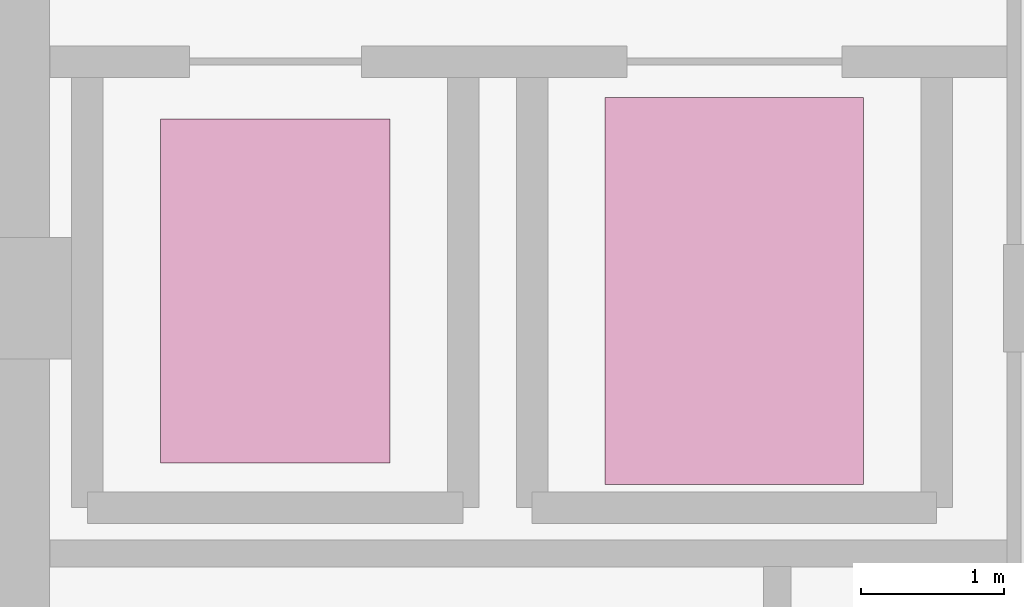
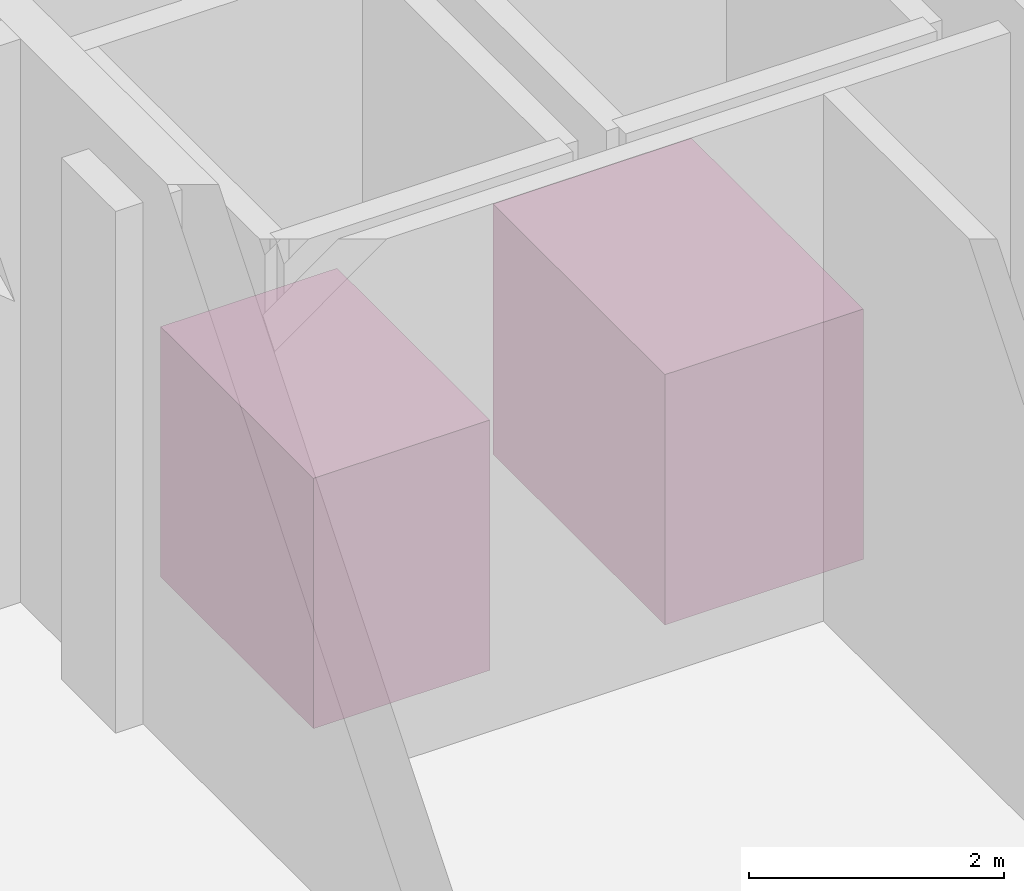
# One storey, part 15 of 15: 2 transport elements.
"""IFC4 building model written with IfcOpenShell, lengths in metres."""

import ifcopenshell
import ifcopenshell.guid

model = None  # the IFC model being written
_history = None  # IfcOwnerHistory: only IFC2X3 demands one
_inside = {}  # id of a spatial element -> (the spatial element, [elements in it])
_under = {}  # id of a project, library or spatial element -> (it, [spatial elements below it])
_declared = {}  # id of a project -> (the project, [libraries it declares])
_typed = {}  # id of a type object -> (the type object, [elements of that type])
_made_of = {}  # id of a material, layer set ... -> (it, [elements and type objects made of it])


def new_model(schema):
    """Start an empty IFC model of exactly this schema.

    Asked for "IFC4X3", IfcOpenShell would pick the latest addendum, in which some entities
    have other attributes; the version numbers below select the first issue.
    IFC2X3 requires an IfcOwnerHistory on every rooted entity: one is made here for all.
    """
    global model, _history
    if schema == "IFC4X3":
        model = ifcopenshell.file(schema_version=(4, 3, 0, 0))
    else:
        model = ifcopenshell.file(schema=schema)
    _inside.clear()
    _under.clear()
    _declared.clear()
    _typed.clear()
    _made_of.clear()
    _history = None
    if model.schema == "IFC2X3":
        org = make("IfcOrganization", Name="unknown")
        user = make(
            "IfcPersonAndOrganization",
            ThePerson=make("IfcPerson", FamilyName="unknown"),
            TheOrganization=org,
        )
        app = make(
            "IfcApplication",
            ApplicationDeveloper=org,
            Version="unknown",
            ApplicationFullName="unknown",
            ApplicationIdentifier="unknown",
        )
        _history = make(
            "IfcOwnerHistory",
            OwningUser=user,
            OwningApplication=app,
            ChangeAction="ADDED",
            CreationDate=0,
        )
    return model


def make(cls, **values):
    """One entity of the class cls with the attributes given. An attribute that is None is left unset."""
    return model.create_entity(
        cls, **{name: value for name, value in values.items() if value is not None}
    )


def rooted(cls, **values):
    """An entity with a GlobalId (a new one), such as an element, a storey or a relation."""
    return make(cls, GlobalId=ifcopenshell.guid.new(), OwnerHistory=_history, **values)


def si_unit(unit_type, name, prefix=None):
    """IfcSIUnit, for example si_unit("LENGTHUNIT", "METRE", prefix="MILLI")."""
    return make("IfcSIUnit", UnitType=unit_type, Prefix=prefix, Name=name)


def assignment(units):
    """IfcUnitAssignment: the units of a project."""
    return None if units is None else make("IfcUnitAssignment", Units=units)


def point(xyz):
    """IfcCartesianPoint."""
    return None if xyz is None else make("IfcCartesianPoint", Coordinates=xyz)


def direction(xyz):
    """IfcDirection."""
    return None if xyz is None else make("IfcDirection", DirectionRatios=xyz)


def frame(location, z_axis=None, x_axis=None):
    """IfcAxis2Placement3D, a coordinate frame: its origin and axes. An axis left out is left unset."""
    return make(
        "IfcAxis2Placement3D",
        Location=point(location),
        Axis=direction(z_axis),
        RefDirection=direction(x_axis),
    )


def frame_2d(location, x_axis=None):
    """IfcAxis2Placement2D, a coordinate frame in the plane: its origin and x axis."""
    return make(
        "IfcAxis2Placement2D", Location=point(location), RefDirection=direction(x_axis)
    )


def origin():
    """The frame at (0, 0, 0) with its axes left unset."""
    return frame((0.0, 0.0, 0.0))


def origin_2d():
    """The frame at (0, 0) in the plane with its x axis left unset."""
    return frame_2d((0.0, 0.0))


def place(relative_to, where):
    """IfcLocalPlacement: puts the frame where relative to a parent placement (None: the world)."""
    return make(
        "IfcLocalPlacement", PlacementRelTo=relative_to, RelativePlacement=where
    )


def context(
    kind, dimensions, precision=None, world=None, true_north=None, identifier=None
):
    """IfcGeometricRepresentationContext, for example the 3D "Model" context."""
    return make(
        "IfcGeometricRepresentationContext",
        ContextIdentifier=identifier,
        ContextType=kind,
        CoordinateSpaceDimension=dimensions,
        Precision=precision,
        WorldCoordinateSystem=world,
        TrueNorth=true_north,
    )


def subcontext(parent, identifier, kind, view, scale=None):
    """IfcGeometricRepresentationSubContext, for example "Body" below "Model"."""
    return make(
        "IfcGeometricRepresentationSubContext",
        ContextIdentifier=identifier,
        ContextType=kind,
        ParentContext=parent,
        TargetScale=scale,
        TargetView=view,
    )


def project(units=None, contexts=None):
    """IfcProject with its units and contexts."""
    return rooted(
        "IfcProject",
        Name="project",
        RepresentationContexts=contexts,
        UnitsInContext=assignment(units),
    )


def spatial(cls, under=None, at=None, **own):
    """A site, building, storey or space (cls), placed at a placement, below another one or the project."""
    s = rooted(cls, ObjectPlacement=at, **own)
    if under is not None:
        _under.setdefault(under.id(), (under, []))[1].append(s)
    return s


def profile(cls, at=None, kind="AREA", **sizes):
    """A parametric profile (cls). Its sizes go by their IFC names, for example OverallWidth=200.0."""
    return make(cls, ProfileType=kind, Position=at, **sizes)


def rectangle(**sizes):
    """IfcRectangleProfileDef."""
    return profile("IfcRectangleProfileDef", **sizes)


def extrude(swept, where, along, depth):
    """IfcExtrudedAreaSolid: the profile swept, set in the frame where, extruded along a direction by depth."""
    return make(
        "IfcExtrudedAreaSolid",
        SweptArea=swept,
        Position=where,
        ExtrudedDirection=direction(along),
        Depth=depth,
    )


def shape(context_of_items, identifier, shape_type, items):
    """IfcShapeRepresentation: the items that make up one representation, for example the "Body"."""
    return make(
        "IfcShapeRepresentation",
        ContextOfItems=context_of_items,
        RepresentationIdentifier=identifier,
        RepresentationType=shape_type,
        Items=items,
    )


def material(Name=None, Category=None):
    """IfcMaterial."""
    return make("IfcMaterial", Name=Name, Category=Category)


def made_of(thing, what):
    """Note that an element or type object is made of a material, layer set ...; save() writes the relation."""
    if what is not None:
        _made_of.setdefault(what.id(), (what, []))[1].append(thing)
    return thing


def type_object(cls, material=None, **own):
    """A type object (cls), such as IfcWallType, which elements share."""
    return made_of(rooted(cls, **own), material)


def element(
    cls,
    number,
    at=None,
    inside=None,
    cuts=None,
    type_object=None,
    material=None,
    context=None,
    identifier="Body",
    shape_type=None,
    held_by="IfcProductDefinitionShape",
    body=None,
    shapes=None,
    **own,
):
    """One element of the class cls, such as IfcWall. Its Tag is "e" and its number.

    at: its placement. inside: the storey or other place that contains it. cuts: it is an
    opening in that element (IfcRelVoidsElement). A single representation is given by context,
    identifier, shape_type and body (its items); several are given by shapes. held_by: the class
    of the entity that holds the representations. save() writes the other relations.
    """
    e = rooted(cls, Tag="e%d" % number, ObjectPlacement=at, **own)
    if body is not None:
        shapes = [shape(context, identifier, shape_type, body)]
    if shapes is not None:
        e.Representation = make(held_by, Representations=shapes)
    if inside is not None:
        _inside.setdefault(inside.id(), (inside, []))[1].append(e)
    if cuts is not None:
        rooted(
            "IfcRelVoidsElement", RelatingBuildingElement=cuts, RelatedOpeningElement=e
        )
    if type_object is not None:
        _typed.setdefault(type_object.id(), (type_object, []))[1].append(e)
    return made_of(e, material)


def aggregate(whole, parts):
    """IfcRelAggregates: a whole, such as a stair, and the parts it consists of."""
    return rooted("IfcRelAggregates", RelatingObject=whole, RelatedObjects=parts)


def save(model, path):
    """Write the relations noted so far, then the file.

    IfcRelAggregates (storeys below a building ...), IfcRelContainedInSpatialStructure (elements
    in a storey), IfcRelDefinesByType, IfcRelAssociatesMaterial and IfcRelDeclares: one each for
    every whole, place, type object, material and project.
    """
    for whole, parts in _under.values():
        aggregate(whole, parts)
    for where, things in _inside.values():
        rooted(
            "IfcRelContainedInSpatialStructure",
            RelatedElements=things,
            RelatingStructure=where,
        )
    for kind, things in _typed.values():
        rooted("IfcRelDefinesByType", RelatedObjects=things, RelatingType=kind)
    for what, things in _made_of.values():
        rooted("IfcRelAssociatesMaterial", RelatedObjects=things, RelatingMaterial=what)
    for by, libraries in _declared.values():
        rooted("IfcRelDeclares", RelatingContext=by, RelatedDefinitions=libraries)
    model.write(path)


model = new_model("IFC4")

# Units and contexts
model_context = context("Model", 3, precision=1e-05, world=origin(), true_north=direction((0.0, 1.0)))
body_context = subcontext(model_context, "Body", "Model", "MODEL_VIEW")
ifc_project = project(units=[si_unit("LENGTHUNIT", "METRE"), si_unit("AREAUNIT", "SQUARE_METRE"), si_unit("VOLUMEUNIT", "CUBIC_METRE"), si_unit("PLANEANGLEUNIT", "RADIAN"), si_unit("MASSUNIT", "GRAM", prefix="KILO")], contexts=[model_context])

# Site, building, storey
site_placement = place(None, origin())
site = spatial("IfcSite", under=ifc_project, at=site_placement, CompositionType="ELEMENT")
building_placement = place(site_placement, origin())
building = spatial("IfcBuilding", under=site, at=building_placement, Name="Leyfeld Transit Interchange", CompositionType="ELEMENT")
storey_placement = place(building_placement, frame((0.0, 0.0, -5.39990234375)))
storey = spatial("IfcBuildingStorey", under=building, at=storey_placement, Name="B01", CompositionType="ELEMENT", Elevation=-5.39990234375)

# Transport elements
ifc_material = material(Name="Stainless steel EN 1.4404", Category="steel")
transport_element_type_1 = type_object("IfcTransportElementType", Name="LFT-GDS-1800x2700", PredefinedType="ELEVATOR", material=ifc_material)
transport_element_1_placement = place(storey_placement, frame((19.35009765625, 79.25, 0.0), z_axis=(0.0, 0.0, 1.0), x_axis=(1.0, 0.0, 0.0)))
element("IfcTransportElement", 1, at=transport_element_1_placement, inside=storey, type_object=transport_element_type_1, Name="Elevator GL-1", PredefinedType="ELEVATOR", context=body_context, shape_type="SweptSolid", body=[
    extrude(rectangle(XDim=1.800048828125, YDim=2.699951171875, at=origin_2d()), origin(), (0.0, 0.0, 1.0), 2.39990234375),
])
transport_element_type_2 = type_object("IfcTransportElementType", Name="LFT-PAS-1600x2400", PredefinedType="ELEVATOR", material=ifc_material)
transport_element_2_placement = place(storey_placement, frame((16.14990234375, 79.25, 0.0), z_axis=(0.0, 0.0, 1.0), x_axis=(1.0, 0.0, 0.0)))
element("IfcTransportElement", 2, at=transport_element_2_placement, inside=storey, type_object=transport_element_type_2, Name="Elevator PL-3", PredefinedType="ELEVATOR", context=body_context, shape_type="SweptSolid", body=[
    extrude(rectangle(XDim=1.60009765625, YDim=2.39990234375, at=origin_2d()), origin(), (0.0, 0.0, 1.0), 2.39990234375),
])

save(model, "model.ifc")
